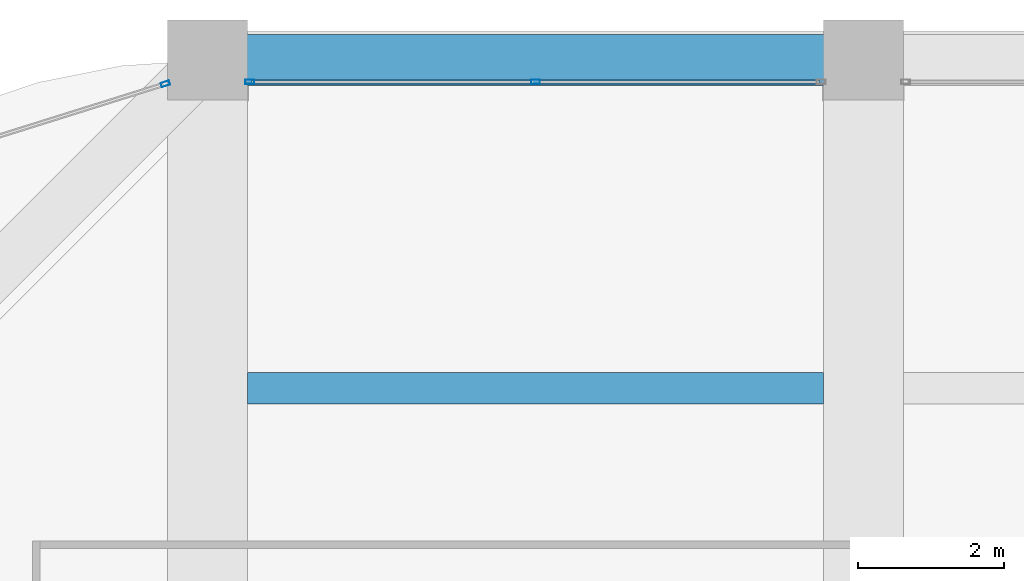
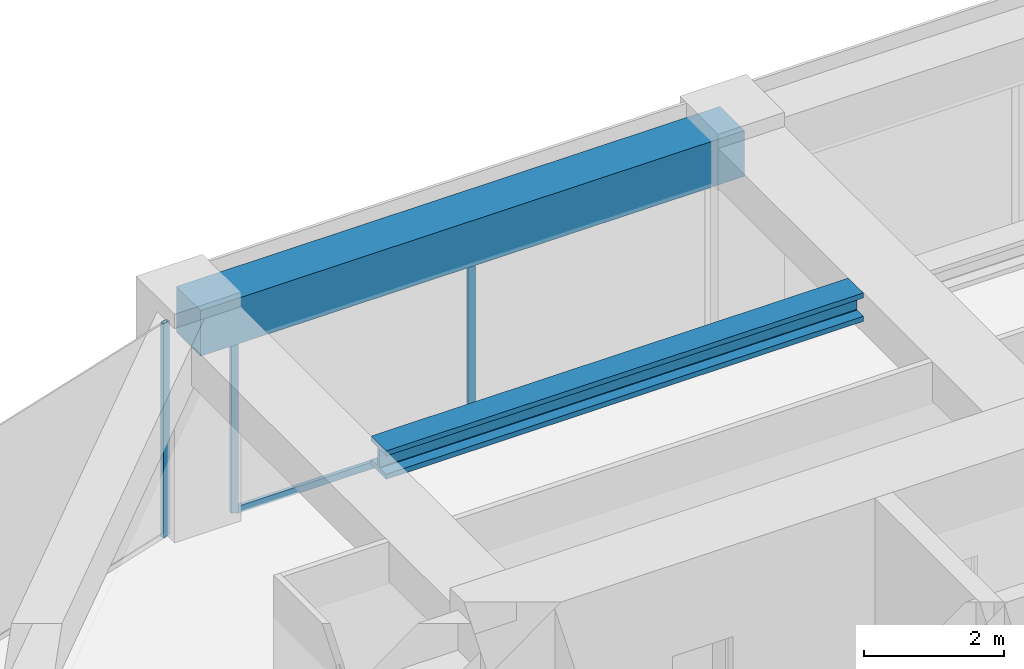
# One storey, part 31 of 44: 4 members, 2 beams, 2 elements without a shape of their own.
"""IFC4 building model written with IfcOpenShell, lengths in metres."""

from ifc_helpers import new_model, si_unit, direction, frame, origin, origin_2d, place, context, subcontext, project, spatial, rectangle, hollow_rectangle, i_section, extrude, material, material_profile, profile_set, type_object, element, aggregate, save


model = new_model("IFC4")

# Units and contexts
model_context = context("Model", 3, precision=1e-05, world=origin(), true_north=direction((0.0, 1.0)))
body_context = subcontext(model_context, "Body", "Model", "MODEL_VIEW")
ifc_project = project(units=[si_unit("LENGTHUNIT", "METRE"), si_unit("AREAUNIT", "SQUARE_METRE"), si_unit("VOLUMEUNIT", "CUBIC_METRE"), si_unit("PLANEANGLEUNIT", "RADIAN"), si_unit("MASSUNIT", "GRAM", prefix="KILO")], contexts=[model_context])

# Site, building, storey
site_placement = place(None, origin())
site = spatial("IfcSite", under=ifc_project, at=site_placement, CompositionType="ELEMENT")
building_placement = place(site_placement, origin())
building = spatial("IfcBuilding", under=site, at=building_placement, Name="Zorevar Civic Tower", CompositionType="ELEMENT")
storey_placement = place(building_placement, frame((0.0, 0.0, 267.39990234375)))
storey = spatial("IfcBuildingStorey", under=building, at=storey_placement, Name="L65", CompositionType="ELEMENT", Elevation=267.39990234375)

# Curtain wall, members
ifc_material_1 = material(Name="Dark grey solar-control glass in black aluminium frame", Category="aluminium")
curtain_wall_type = type_object("IfcCurtainWallType", Name="Curtain wall CW5 top zone", PredefinedType="NOTDEFINED", material=ifc_material_1)
curtain_wall_1_placement = place(storey_placement, origin())
curtain_wall_1 = element("IfcCurtainWall", 1, at=curtain_wall_1_placement, inside=storey, type_object=curtain_wall_type, Name="CW5 L65", PredefinedType="NOTDEFINED")
ifc_material_2 = material(Name="Aluminium, black anodised", Category="aluminium")
ifc_material_profile_1 = material_profile(ifc_material_2, hollow_rectangle(XDim=0.06005859375, YDim=0.1201171875, WallThickness=0.0029296875, at=origin_2d()), Name="AL 120x60x3")
ifc_profile_set_1 = profile_set([ifc_material_profile_1], Name="Aluminium, black anodised")
member_type_1 = type_object("IfcMemberType", Name="CW5 mullion AL 120x60x3", PredefinedType="MULLION", material=ifc_profile_set_1)
member_1_placement = place(storey_placement, frame((18.580078125, 44.699951171875, 0.0), z_axis=(0.0, 0.0, 1.0), x_axis=(0.0, 1.0, 0.0)))
member_1 = element("IfcMember", 2, at=member_1_placement, type_object=member_type_1, Name="CW5 mullion 1", PredefinedType="MULLION", context=body_context, shape_type="SweptSolid", body=[
    extrude(hollow_rectangle(XDim=0.06005859375, YDim=0.1201171875, WallThickness=0.0029296875, at=origin_2d()), origin(), (0.0, 0.0, 1.0), 2.9501953125),
])
member_2_placement = place(storey_placement, frame((22.5, 44.699951171875, 0.06005859375), z_axis=(0.0, 0.0, 1.0), x_axis=(0.0, 1.0, 0.0)))
member_2 = element("IfcMember", 3, at=member_2_placement, type_object=member_type_1, Name="CW5 mullion 2", PredefinedType="MULLION", context=body_context, shape_type="SweptSolid", body=[
    extrude(hollow_rectangle(XDim=0.06005859375, YDim=0.1201171875, WallThickness=0.0029296875, at=origin_2d()), origin(), (0.0, 0.0, 1.0), 2.89013671875),
])

# Curtain wall, member
curtain_wall_2_placement = place(storey_placement, origin())
curtain_wall_2 = element("IfcCurtainWall", 4, at=curtain_wall_2_placement, inside=storey, type_object=curtain_wall_type, Name="CW5 L65", PredefinedType="NOTDEFINED")
member_3_placement = place(storey_placement, frame((17.42138671875, 44.673583984375, 0.0), z_axis=(0.0, 0.0, 1.0), x_axis=(0.299317920238, -0.954153437674, 0.0)))
member_3 = element("IfcMember", 5, at=member_3_placement, type_object=member_type_1, Name="CW5 mullion 1", PredefinedType="MULLION", context=body_context, shape_type="SweptSolid", body=[
    extrude(hollow_rectangle(XDim=0.06005859375, YDim=0.1201171875, WallThickness=0.0029296875, at=origin_2d()), origin(), (0.0, 0.0, 1.0), 3.75),
])
aggregate(curtain_wall_2, [member_3])

# Member
ifc_material_3 = material(Name="Aluminium, black anodised", Category="aluminium")
ifc_material_profile_2 = material_profile(ifc_material_3, hollow_rectangle(XDim=0.06005859375, YDim=0.1201171875, WallThickness=0.0029296875, at=origin_2d()), Name="AL 120x60x3")
ifc_profile_set_2 = profile_set([ifc_material_profile_2], Name="Aluminium, black anodised")
member_type_2 = type_object("IfcMemberType", Name="CW5 transom AL 120x60x3", PredefinedType="USERDEFINED", material=ifc_profile_set_2)
member_4_placement = place(storey_placement, frame((18.610107421875, 44.699951171875, 0.030029296875), z_axis=(1.0, 0.0, 0.0), x_axis=(0.0, 1.0, 0.0)))
member_4 = element("IfcMember", 6, at=member_4_placement, type_object=member_type_2, Name="CW5 sill transom", ObjectType="TRANSOM", PredefinedType="USERDEFINED", context=body_context, shape_type="SweptSolid", body=[
    extrude(hollow_rectangle(XDim=0.06005859375, YDim=0.1201171875, WallThickness=0.0029296875, at=origin_2d()), origin(), (0.0, 0.0, 1.0), 7.77978515625),
])

aggregate(curtain_wall_1, [member_1, member_2, member_4])

# Beams
ifc_material_4 = material(Name="Steel S460M (HISTAR 460)", Category="steel")
ifc_material_profile_3 = material_profile(ifc_material_4, i_section(OverallWidth=0.431884765625, OverallDepth=0.498046875, WebThickness=0.0556640625, FlangeThickness=0.0888671875, FilletRadius=0.014892578125, at=origin_2d()), Name="HD 400x744")
ifc_profile_set_3 = profile_set([ifc_material_profile_3], Name="Steel S460M (HISTAR 460)")
beam_type_1 = type_object("IfcBeamType", Name="Core bay beam HD 400x744", PredefinedType="BEAM", material=ifc_profile_set_3)
beam_1_placement = place(storey_placement, frame((18.550048828125, 40.5, 3.5009765625), z_axis=(1.0, 0.0, 0.0), x_axis=(0.0, 1.0, 0.0)))
element("IfcBeam", 7, at=beam_1_placement, inside=storey, type_object=beam_type_1, Name="Secondary beam L66", PredefinedType="BEAM", context=body_context, shape_type="SweptSolid", body=[
    extrude(i_section(OverallWidth=0.431884765625, OverallDepth=0.498046875, WebThickness=0.0556640625, FlangeThickness=0.0888671875, FilletRadius=0.014892578125, at=origin_2d()), origin(), (0.0, 0.0, 1.0), 7.89990234375),
])
ifc_material_5 = material(Name="Concrete C50/60", Category="concrete")
ifc_material_profile_4 = material_profile(ifc_material_5, rectangle(XDim=0.699951171875, YDim=0.800048828125, at=origin_2d()), Name="RC 700x800")
ifc_profile_set_4 = profile_set([ifc_material_profile_4], Name="Concrete C50/60")
beam_type_2 = type_object("IfcBeamType", Name="Edge beam RC 700x800", PredefinedType="SPANDREL", material=ifc_profile_set_4)
beam_2_placement = place(storey_placement, frame((18.0, 45.0, 3.35009765625), z_axis=(1.0, 0.0, 0.0), x_axis=(0.0, 1.0, 0.0)))
element("IfcBeam", 8, at=beam_2_placement, inside=storey, type_object=beam_type_2, Name="Edge beam L66", PredefinedType="SPANDREL", context=body_context, shape_type="SweptSolid", body=[
    extrude(rectangle(XDim=0.699951171875, YDim=0.800048828125, at=origin_2d()), origin(), (0.0, 0.0, 1.0), 9.0),
])

save(model, "model.ifc")
